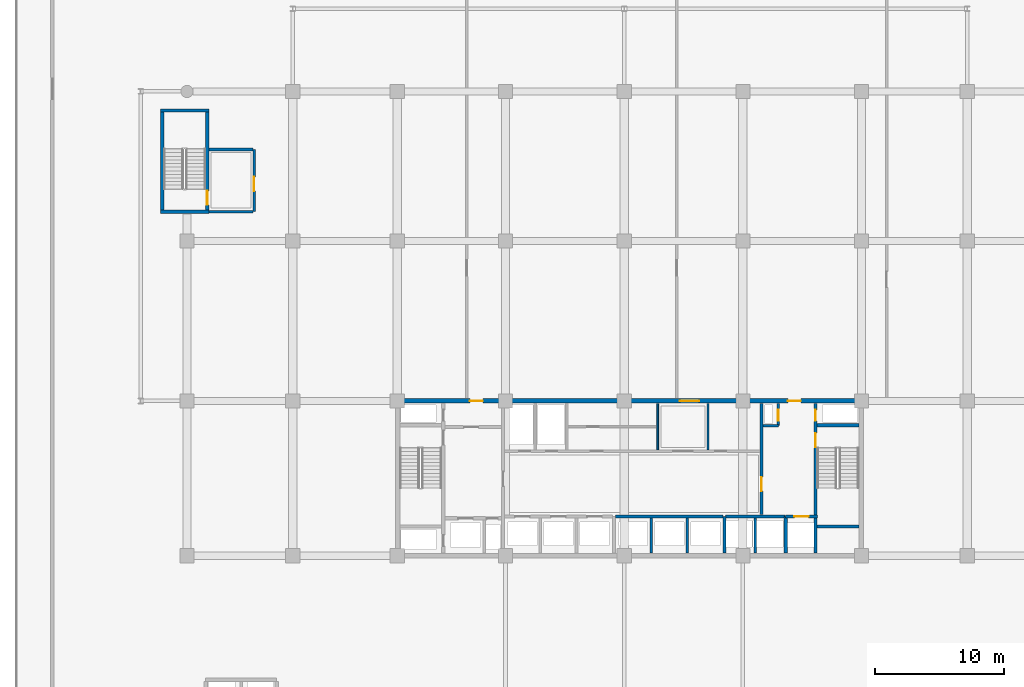
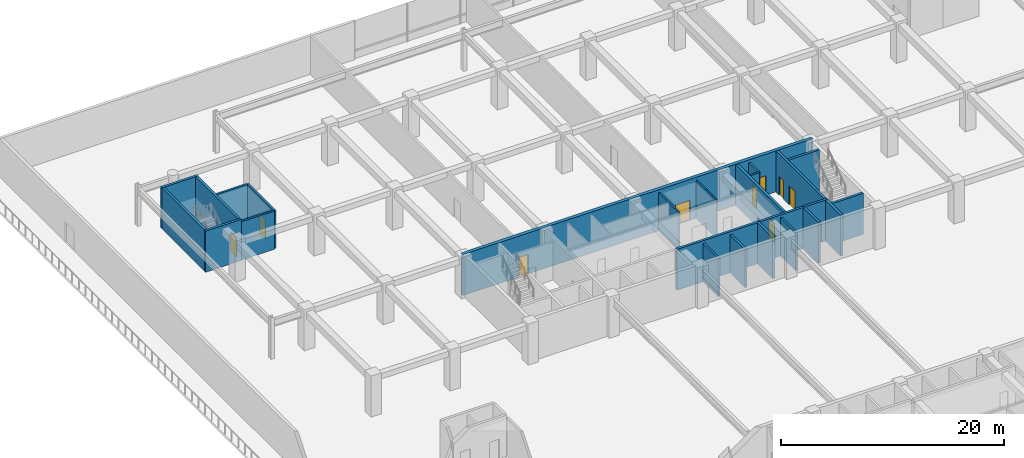
# One storey, part 25 of 43: 24 walls, 10 doors, 10 openings.
"""IFC4 building model written with IfcOpenShell, lengths in metres."""

from ifc_helpers import new_model, si_unit, direction, frame, frame_2d, origin, place, context, subcontext, project, spatial, rectangle, extrude, material, layer, layer_set, type_object, element, fill, save


model = new_model("IFC4")

# Units and contexts
model_context = context("Model", 3, precision=1e-05, world=origin(), true_north=direction((0.0, 1.0)))
body_context = subcontext(model_context, "Body", "Model", "MODEL_VIEW")
ifc_project = project(units=[si_unit("LENGTHUNIT", "METRE"), si_unit("AREAUNIT", "SQUARE_METRE"), si_unit("VOLUMEUNIT", "CUBIC_METRE"), si_unit("PLANEANGLEUNIT", "RADIAN"), si_unit("MASSUNIT", "GRAM", prefix="KILO")], contexts=[model_context])

# Site, building, storey
site_placement = place(None, origin())
site = spatial("IfcSite", under=ifc_project, at=site_placement, CompositionType="ELEMENT")
building_placement = place(site_placement, origin())
building = spatial("IfcBuilding", under=site, at=building_placement, Name="Korimba Cascade Residences", CompositionType="ELEMENT")
storey_placement = place(building_placement, frame((0.0, 0.0, 10.0)))
storey = spatial("IfcBuildingStorey", under=building, at=storey_placement, Name="L02", CompositionType="ELEMENT", Elevation=10.0)

# Wall, openings, doors
ifc_material_1 = material(Name="Concrete C65/80", Category="concrete")
ifc_layer_1 = layer(ifc_material_1, 0.35009765625)
ifc_layer_set_1 = layer_set([ifc_layer_1], Name="Concrete C65/80")
wall_type_1 = type_object("IfcWallType", Name="WAL-CORE-350", PredefinedType="SHEAR", material=ifc_layer_set_1)
wall_1_placement = place(storey_placement, frame((75.949951171875, 67.199951171875, 0.0), z_axis=(0.0, 0.0, 1.0), x_axis=(1.0, 0.0, 0.0)))
wall_1 = element("IfcWall", 1, at=wall_1_placement, inside=storey, type_object=wall_type_1, Name="L02 Core Shear Wall CW-L02-T1-N", PredefinedType="SHEAR", context=body_context, shape_type="SweptSolid", body=[
    extrude(rectangle(XDim=36.300048828125, YDim=0.35009765625, at=frame_2d((18.14990234375, 0.0))), origin(), (0.0, 0.0, 1.0), 4.5),
])
opening_1_placement = place(wall_1_placement, frame((5.7880859375, 0.0, 0.0)))
opening_1 = element("IfcOpeningElement", 2, at=opening_1_placement, cuts=wall_1, Name="Opening D-FD5", PredefinedType="OPENING", context=body_context, shape_type="SweptSolid", body=[
    extrude(rectangle(XDim=1.0, YDim=2.14990234375, at=frame_2d((0.5, 1.074951171875))), frame((0.0, 0.18505859375, 0.0), z_axis=(0.0, -1.0, 0.0), x_axis=(1.0, 0.0, 0.0)), (0.0, 0.0, 1.0), 0.3701171875),
])
opening_2_placement = place(wall_1_placement, frame((22.05810546875, 0.0, 0.0)))
opening_2 = element("IfcOpeningElement", 3, at=opening_2_placement, cuts=wall_1, Name="Opening D-FD8", PredefinedType="OPENING", context=body_context, shape_type="SweptSolid", body=[
    extrude(rectangle(XDim=1.5, YDim=2.199951171875, at=frame_2d((0.75, 1.10009765625))), frame((0.0, 0.18505859375, 0.0), z_axis=(0.0, -1.0, 0.0), x_axis=(1.0, 0.0, 0.0)), (0.0, 0.0, 1.0), 0.3701171875),
])
opening_3_placement = place(wall_1_placement, frame((30.449951171875, 0.0, 0.0)))
opening_3 = element("IfcOpeningElement", 4, at=opening_3_placement, cuts=wall_1, Name="Opening D-FD5", PredefinedType="OPENING", context=body_context, shape_type="SweptSolid", body=[
    extrude(rectangle(XDim=1.0, YDim=2.14990234375, at=frame_2d((0.5, 1.074951171875))), frame((0.0, 0.18505859375, 0.0), z_axis=(0.0, -1.0, 0.0), x_axis=(1.0, 0.0, 0.0)), (0.0, 0.0, 1.0), 0.3701171875),
])
ifc_material_2 = material(Name="Fire-Rated Acoustic Timber Vestibule Door", Category="wood")
door_type_1 = type_object("IfcDoorType", Name="DR-FD90-1000", OperationType="NOTDEFINED", PredefinedType="DOOR", material=ifc_material_2)
door_1_placement = place(opening_1_placement, origin())
door_1 = element("IfcDoor", 5, at=door_1_placement, inside=storey, type_object=door_type_1, Name="L02 T1 West Core Vestibule Fire Door", OperationType="SINGLE_SWING_RIGHT", OverallHeight=2.14990234375, OverallWidth=1.0, PredefinedType="DOOR", context=body_context, shape_type="SweptSolid", body=[
    extrude(rectangle(XDim=1.0, YDim=2.14990234375, at=frame_2d((0.5, 1.074951171875))), frame((0.0, 0.02490234375, 0.0), z_axis=(0.0, -1.0, 0.0), x_axis=(1.0, 0.0, 0.0)), (0.0, 0.0, 1.0), 0.050048828125),
])
fill(opening_1, door_1)
door_2_placement = place(opening_3_placement, origin())
door_2 = element("IfcDoor", 6, at=door_2_placement, inside=storey, type_object=door_type_1, Name="L02 T1 East Firefighting Vestibule Fire Door", OperationType="SINGLE_SWING_LEFT", OverallHeight=2.14990234375, OverallWidth=1.0, PredefinedType="DOOR", context=body_context, shape_type="SweptSolid", body=[
    extrude(rectangle(XDim=1.0, YDim=2.14990234375, at=frame_2d((0.5, 1.074951171875))), frame((0.0, 0.02490234375, 0.0), z_axis=(0.0, -1.0, 0.0), x_axis=(1.0, 0.0, 0.0)), (0.0, 0.0, 1.0), 0.050048828125),
])
fill(opening_3, door_2)
ifc_material_3 = material(Name="Fire-Rated Glazed Lift Lobby Double Door", Category="glass")
door_type_2 = type_object("IfcDoorType", Name="DR-FD90-1500", OperationType="NOTDEFINED", PredefinedType="DOOR", material=ifc_material_3)
door_3_placement = place(opening_2_placement, origin())
door_3 = element("IfcDoor", 7, at=door_3_placement, inside=storey, type_object=door_type_2, Name="L02 T1 Lift Lobby Fire Door", OperationType="DOUBLE_DOOR_SINGLE_SWING", OverallHeight=2.199951171875, OverallWidth=1.5, PredefinedType="DOOR", context=body_context, shape_type="SweptSolid", body=[
    extrude(rectangle(XDim=1.5, YDim=2.199951171875, at=frame_2d((0.75, 1.10009765625))), frame((0.0, 0.02490234375, 0.0), z_axis=(0.0, -1.0, 0.0), x_axis=(1.0, 0.0, 0.0)), (0.0, 0.0, 1.0), 0.050048828125),
])
fill(opening_2, door_3)

# Walls
ifc_material_4 = material(Name="Insulated Acoustic Stud Partition", Category="gypsum")
ifc_layer_2 = layer(ifc_material_4, 0.14990234375)
ifc_layer_set_2 = layer_set([ifc_layer_2], Name="Insulated Acoustic Stud Partition")
wall_type_2 = type_object("IfcWallType", Name="WAL-PART-150", PredefinedType="PARTITIONING", material=ifc_layer_set_2)
for number, where, z_axis, x_axis, name in (
    (8, (96.300048828125, 63.39990234375, 0.0), (0.0, 0.0, 1.0), (0.0, 1.0, 0.0), "L02 Partition Wall CW-L02-T1-THW"),
    (9, (100.199951171875, 63.39990234375, 0.0), (0.0, 0.0, 1.0), (0.0, 1.0, 0.0), "L02 Partition Wall CW-L02-T1-THE"),
):
    element("IfcWall", number, at=place(storey_placement, frame(where, z_axis=z_axis, x_axis=x_axis)), inside=storey, type_object=wall_type_2, Name=name, PredefinedType="PARTITIONING", context=body_context, shape_type="SweptSolid", body=[
        extrude(rectangle(XDim=3.60009765625, YDim=0.14990234375, at=frame_2d((1.800048828125, 0.0))), origin(), (0.0, 0.0, 1.0), 4.199951171875),
    ])
ifc_material_5 = material(Name="Concrete C40/50", Category="concrete")
ifc_layer_3 = layer(ifc_material_5, 0.199951171875)
ifc_layer_set_3 = layer_set([ifc_layer_3], Name="Concrete C40/50")
wall_type_3 = type_object("IfcWallType", Name="WAL-PART-200", PredefinedType="PARTITIONING", material=ifc_layer_set_3)
for number, where, z_axis, x_axis, name in (
    (10, (95.800048828125, 55.39990234375, 0.0), (0.0, 0.0, 1.0), (0.0, 1.0, 0.0), "L02 Partition Wall CW-L02-T1-B2D1"),
    (11, (98.60009765625, 55.39990234375, 0.0), (0.0, 0.0, 1.0), (0.0, 1.0, 0.0), "L02 Partition Wall CW-L02-T1-B2D2"),
    (12, (103.85009765625, 55.39990234375, 0.0), (0.0, 0.0, 1.0), (0.0, 1.0, 0.0), "L02 Partition Wall CW-L02-T1-B3D1"),
):
    element("IfcWall", number, at=place(storey_placement, frame(where, z_axis=z_axis, x_axis=x_axis)), inside=storey, type_object=wall_type_3, Name=name, PredefinedType="PARTITIONING", context=body_context, shape_type="SweptSolid", body=[
        extrude(rectangle(XDim=2.72021484375, YDim=0.199951171875, at=frame_2d((1.360107421875, 0.0))), origin(), (0.0, 0.0, 1.0), 4.199951171875),
    ])
wall_2_placement = place(storey_placement, frame((104.449951171875, 65.280029296875, 0.0), z_axis=(0.0, 0.0, 1.0), x_axis=(1.0, 0.0, 0.0)))
element("IfcWall", 13, at=wall_2_placement, inside=storey, type_object=wall_type_3, Name="L02 Partition Wall CW-L02-T1-HYDW2S", PredefinedType="PARTITIONING", context=body_context, shape_type="SweptSolid", body=[
    extrude(rectangle(XDim=1.199951171875, YDim=0.199951171875, at=frame_2d((0.60009765625, 0.0))), origin(), (0.0, 0.0, 1.0), 4.199951171875),
])

# Wall, opening, door
wall_3_placement = place(storey_placement, frame((105.64990234375, 65.280029296875, 0.0), z_axis=(0.0, 0.0, 1.0), x_axis=(0.0, 1.0, 0.0)))
wall_3 = element("IfcWall", 14, at=wall_3_placement, inside=storey, type_object=wall_type_3, Name="L02 Partition Wall CW-L02-T1-HYDW2E", PredefinedType="PARTITIONING", context=body_context, shape_type="SweptSolid", body=[
    extrude(rectangle(XDim=1.719970703125, YDim=0.199951171875, at=frame_2d((0.85986328125, 0.0))), origin(), (0.0, 0.0, 1.0), 4.199951171875),
])
opening_4_placement = place(wall_3_placement, frame((0.39990234375, 0.0, 0.0)))
opening_4 = element("IfcOpeningElement", 15, at=opening_4_placement, cuts=wall_3, Name="Opening D-RS1", PredefinedType="OPENING", context=body_context, shape_type="SweptSolid", body=[
    extrude(rectangle(XDim=0.85009765625, YDim=2.050048828125, at=frame_2d((0.425048828125, 1.02490234375))), frame((0.0, 0.10986328125, 0.0), z_axis=(0.0, -1.0, 0.0), x_axis=(1.0, 0.0, 0.0)), (0.0, 0.0, 1.0), 0.219970703125),
])
ifc_material_6 = material(Name="Fire-Rated Steel Riser Access Door", Category="steel")
door_type_3 = type_object("IfcDoorType", Name="DR-FD60-850", OperationType="NOTDEFINED", PredefinedType="DOOR", material=ifc_material_6)
door_4_placement = place(opening_4_placement, origin())
door_4 = element("IfcDoor", 16, at=door_4_placement, inside=storey, type_object=door_type_3, Name="L02 East Hydrant Door", OperationType="SINGLE_SWING_LEFT", OverallHeight=2.050048828125, OverallWidth=0.85009765625, PredefinedType="DOOR", context=body_context, shape_type="SweptSolid", body=[
    extrude(rectangle(XDim=0.85009765625, YDim=2.050048828125, at=frame_2d((0.425048828125, 1.02490234375))), frame((0.0, 0.02490234375, 0.0), z_axis=(0.0, -1.0, 0.0), x_axis=(1.0, 0.0, 0.0)), (0.0, 0.0, 1.0), 0.050048828125),
])
fill(opening_4, door_4)

wall_4_placement = place(storey_placement, frame((65.0, 81.875, 0.0), z_axis=(0.0, 0.0, 1.0), x_axis=(0.0, 1.0, 0.0)))
wall_4 = element("IfcWall", 17, at=wall_4_placement, inside=storey, type_object=wall_type_3, Name="L02 Partition Wall CW-L02-PL5E", PredefinedType="PARTITIONING", context=body_context, shape_type="SweptSolid", body=[
    extrude(rectangle(XDim=4.824951171875, YDim=0.199951171875, at=frame_2d((2.41259765625, 0.0))), origin(), (0.0, 0.0, 1.0), 4.199951171875),
])
opening_5_placement = place(wall_4_placement, frame((1.60009765625, 0.0, 0.0)))
opening_5 = element("IfcOpeningElement", 18, at=opening_5_placement, cuts=wall_4, Name="Opening D-FD6", PredefinedType="OPENING", context=body_context, shape_type="SweptSolid", body=[
    extrude(rectangle(XDim=1.10009765625, YDim=2.14990234375, at=frame_2d((0.550048828125, 1.074951171875))), frame((0.0, 0.10986328125, 0.0), z_axis=(0.0, -1.0, 0.0), x_axis=(1.0, 0.0, 0.0)), (0.0, 0.0, 1.0), 0.219970703125),
])
ifc_material_7 = material(Name="Fire-Rated Timber Stair Lobby Door", Category="wood")
door_type_4 = type_object("IfcDoorType", Name="DR-FD90-1100", OperationType="NOTDEFINED", PredefinedType="DOOR", material=ifc_material_7)
door_5_placement = place(opening_5_placement, origin())
door_5 = element("IfcDoor", 19, at=door_5_placement, inside=storey, type_object=door_type_4, Name="L02 North-West Stair Vestibule Door", OperationType="SINGLE_SWING_LEFT", OverallHeight=2.14990234375, OverallWidth=1.10009765625, PredefinedType="DOOR", context=body_context, shape_type="SweptSolid", body=[
    extrude(rectangle(XDim=1.10009765625, YDim=2.14990234375, at=frame_2d((0.550048828125, 1.074951171875))), frame((0.0, 0.02490234375, 0.0), z_axis=(0.0, -1.0, 0.0), x_axis=(1.0, 0.0, 0.0)), (0.0, 0.0, 1.0), 0.050048828125),
])
fill(opening_5, door_5)

# Walls
for number, where, z_axis, x_axis, name in (
    (20, (61.5, 81.875, 0.0), (0.0, 0.0, 1.0), (1.0, 0.0, 0.0), "L02 Partition Wall CW-L02-PL5S"),
    (21, (61.5, 86.699951171875, 0.0), (0.0, 0.0, 1.0), (1.0, 0.0, 0.0), "L02 Partition Wall CW-L02-PL5N"),
):
    element("IfcWall", number, at=place(storey_placement, frame(where, z_axis=z_axis, x_axis=x_axis)), inside=storey, type_object=wall_type_3, Name=name, PredefinedType="PARTITIONING", context=body_context, shape_type="SweptSolid", body=[
        extrude(rectangle(XDim=3.39990234375, YDim=0.199951171875, at=frame_2d((1.699951171875, 0.0))), origin(), (0.0, 0.0, 1.0), 4.199951171875),
    ])
ifc_material_8 = material(Name="Concrete C50/60", Category="concrete")
ifc_layer_4 = layer(ifc_material_8, 0.25)
ifc_layer_set_4 = layer_set([ifc_layer_4], Name="Concrete C50/60")
wall_type_4 = type_object("IfcWallType", Name="WAL-SHAFT-250", PredefinedType="SHEAR", material=ifc_layer_set_4)
wall_5_placement = place(storey_placement, frame((93.02001953125, 58.25, 0.0), z_axis=(0.0, 0.0, 1.0), x_axis=(1.0, 0.0, 0.0)))
element("IfcWall", 22, at=wall_5_placement, inside=storey, type_object=wall_type_4, Name="L02 Core Shear Wall CW-L02-T1-B2N", PredefinedType="SHEAR", context=body_context, shape_type="SweptSolid", body=[
    extrude(rectangle(XDim=8.35986328125, YDim=0.25, at=frame_2d((4.179931640625, 0.0))), origin(), (0.0, 0.0, 1.0), 4.5),
])
wall_6_placement = place(storey_placement, frame((101.47998046875, 55.39990234375, 0.0), z_axis=(0.0, 0.0, 1.0), x_axis=(0.0, 1.0, 0.0)))
element("IfcWall", 23, at=wall_6_placement, inside=storey, type_object=wall_type_4, Name="L02 Core Shear Wall CW-L02-T1-B23DIV", PredefinedType="SHEAR", context=body_context, shape_type="SweptSolid", body=[
    extrude(rectangle(XDim=2.85009765625, YDim=0.25, at=frame_2d((1.425048828125, 0.0))), origin(), (0.0, 0.0, 1.0), 4.5),
])
wall_7_placement = place(storey_placement, frame((101.550048828125, 58.25, 0.0), z_axis=(0.0, 0.0, 1.0), x_axis=(1.0, 0.0, 0.0)))
element("IfcWall", 24, at=wall_7_placement, inside=storey, type_object=wall_type_4, Name="L02 Core Shear Wall CW-L02-T1-B3N", PredefinedType="SHEAR", context=body_context, shape_type="SweptSolid", body=[
    extrude(rectangle(XDim=4.599853515625, YDim=0.25, at=frame_2d((2.2998046875, 0.0))), origin(), (0.0, 0.0, 1.0), 4.5),
])
wall_8_placement = place(storey_placement, frame((106.219970703125, 55.39990234375, 0.0), z_axis=(0.0, 0.0, 1.0), x_axis=(0.0, 1.0, 0.0)))
element("IfcWall", 25, at=wall_8_placement, inside=storey, type_object=wall_type_4, Name="L02 Core Shear Wall CW-L02-T1-FF2W", PredefinedType="SHEAR", context=body_context, shape_type="SweptSolid", body=[
    extrude(rectangle(XDim=2.85009765625, YDim=0.25, at=frame_2d((1.425048828125, 0.0))), origin(), (0.0, 0.0, 1.0), 4.5),
])

# Wall, opening, door
wall_9_placement = place(storey_placement, frame((106.219970703125, 58.25, 0.0), z_axis=(0.0, 0.0, 1.0), x_axis=(1.0, 0.0, 0.0)))
wall_9 = element("IfcWall", 26, at=wall_9_placement, inside=storey, type_object=wall_type_4, Name="L02 Core Shear Wall CW-L02-T1-FF2N", PredefinedType="SHEAR", context=body_context, shape_type="SweptSolid", body=[
    extrude(rectangle(XDim=2.4599609375, YDim=0.25, at=frame_2d((1.22998046875, 0.0))), origin(), (0.0, 0.0, 1.0), 4.5),
])
opening_6_placement = place(wall_9_placement, frame((0.669921875, 0.0, 0.0)))
opening_6 = element("IfcOpeningElement", 27, at=opening_6_placement, cuts=wall_9, Name="Opening LD-01", PredefinedType="OPENING", context=body_context, shape_type="SweptSolid", body=[
    extrude(rectangle(XDim=1.1201171875, YDim=2.1201171875, at=frame_2d((0.56005859375, 1.06005859375))), frame((0.0, 0.135009765625, 0.0), z_axis=(0.0, -1.0, 0.0), x_axis=(1.0, 0.0, 0.0)), (0.0, 0.0, 1.0), 0.27001953125),
])
ifc_material_9 = material(Name="Stainless Steel Lift Landing Sliding Door", Category="steel")
door_type_5 = type_object("IfcDoorType", Name="DR-LIFT-1100", OperationType="NOTDEFINED", PredefinedType="DOOR", material=ifc_material_9)
door_6_placement = place(opening_6_placement, origin())
door_6 = element("IfcDoor", 28, at=door_6_placement, inside=storey, type_object=door_type_5, Name="L02 Firefighting Lift Landing Door FFL-W2", OperationType="SLIDING_TO_RIGHT", OverallHeight=2.1201171875, OverallWidth=1.1201171875, PredefinedType="DOOR", context=body_context, shape_type="SweptSolid", body=[
    extrude(rectangle(XDim=1.1201171875, YDim=2.1201171875, at=frame_2d((0.56005859375, 1.06005859375))), frame((0.0, 0.02490234375, 0.0), z_axis=(0.0, -1.0, 0.0), x_axis=(1.0, 0.0, 0.0)), (0.0, 0.0, 1.0), 0.050048828125),
])
fill(opening_6, door_6)

wall_10_placement = place(storey_placement, frame((104.35009765625, 58.39990234375, 0.0), z_axis=(0.0, 0.0, 1.0), x_axis=(0.0, 1.0, 0.0)))
wall_10 = element("IfcWall", 29, at=wall_10_placement, inside=storey, type_object=wall_type_4, Name="L02 Core Shear Wall CW-L02-T1-LLEV", PredefinedType="SHEAR", context=body_context, shape_type="SweptSolid", body=[
    extrude(rectangle(XDim=8.60009765625, YDim=0.25, at=frame_2d((4.300048828125, 0.0))), origin(), (0.0, 0.0, 1.0), 4.5),
])
opening_7_placement = place(wall_10_placement, frame((1.800048828125, 0.0, 0.0)))
opening_7 = element("IfcOpeningElement", 30, at=opening_7_placement, cuts=wall_10, Name="Opening D-FD1", PredefinedType="OPENING", context=body_context, shape_type="SweptSolid", body=[
    extrude(rectangle(XDim=1.10009765625, YDim=2.10009765625, at=frame_2d((0.550048828125, 1.050048828125))), frame((0.0, 0.135009765625, 0.0), z_axis=(0.0, -1.0, 0.0), x_axis=(1.0, 0.0, 0.0)), (0.0, 0.0, 1.0), 0.27001953125),
])
ifc_material_10 = material(Name="Fire-Rated Steel Core Door", Category="steel")
door_type_6 = type_object("IfcDoorType", Name="DR-FD120-1100", OperationType="NOTDEFINED", PredefinedType="DOOR", material=ifc_material_10)
door_7_placement = place(opening_7_placement, origin())
door_7 = element("IfcDoor", 31, at=door_7_placement, inside=storey, type_object=door_type_6, Name="L02 Lift Lobby to East Firefighting Lobby Door", OperationType="SINGLE_SWING_RIGHT", OverallHeight=2.10009765625, OverallWidth=1.10009765625, PredefinedType="DOOR", context=body_context, shape_type="SweptSolid", body=[
    extrude(rectangle(XDim=1.10009765625, YDim=2.10009765625, at=frame_2d((0.550048828125, 1.050048828125))), frame((0.0, 0.02490234375, 0.0), z_axis=(0.0, -1.0, 0.0), x_axis=(1.0, 0.0, 0.0)), (0.0, 0.0, 1.0), 0.050048828125),
])
fill(opening_7, door_7)

# Wall, openings, doors
wall_11_placement = place(storey_placement, frame((108.534912109375, 55.39990234375, 0.0), z_axis=(0.0, 0.0, 1.0), x_axis=(0.0, 1.0, 0.0)))
wall_11 = element("IfcWall", 32, at=wall_11_placement, inside=storey, type_object=wall_type_4, Name="L02 Core Shear Wall CW-L02-T1-STW2W", PredefinedType="SHEAR", context=body_context, shape_type="SweptSolid", body=[
    extrude(rectangle(XDim=11.60009765625, YDim=0.25, at=frame_2d((5.800048828125, 0.0))), origin(), (0.0, 0.0, 1.0), 4.5),
])
opening_8_placement = place(wall_11_placement, frame((8.199951171875, 0.0, 0.0)))
opening_8 = element("IfcOpeningElement", 33, at=opening_8_placement, cuts=wall_11, Name="Opening D-FD1", PredefinedType="OPENING", context=body_context, shape_type="SweptSolid", body=[
    extrude(rectangle(XDim=1.10009765625, YDim=2.10009765625, at=frame_2d((0.550048828125, 1.050048828125))), frame((0.0, 0.135009765625, 0.0), z_axis=(0.0, -1.0, 0.0), x_axis=(1.0, 0.0, 0.0)), (0.0, 0.0, 1.0), 0.27001953125),
])
opening_9_placement = place(wall_11_placement, frame((10.25, 0.0, 0.0)))
opening_9 = element("IfcOpeningElement", 34, at=opening_9_placement, cuts=wall_11, Name="Opening D-RS1", PredefinedType="OPENING", context=body_context, shape_type="SweptSolid", body=[
    extrude(rectangle(XDim=0.85009765625, YDim=2.050048828125, at=frame_2d((0.425048828125, 1.02490234375))), frame((0.0, 0.135009765625, 0.0), z_axis=(0.0, -1.0, 0.0), x_axis=(1.0, 0.0, 0.0)), (0.0, 0.0, 1.0), 0.27001953125),
])
door_8_placement = place(opening_8_placement, origin())
door_8 = element("IfcDoor", 35, at=door_8_placement, inside=storey, type_object=door_type_6, Name="L02 Fire Stair ST-W2 Door", OperationType="SINGLE_SWING_LEFT", OverallHeight=2.10009765625, OverallWidth=1.10009765625, PredefinedType="DOOR", context=body_context, shape_type="SweptSolid", body=[
    extrude(rectangle(XDim=1.10009765625, YDim=2.10009765625, at=frame_2d((0.550048828125, 1.050048828125))), frame((0.0, 0.02490234375, 0.0), z_axis=(0.0, -1.0, 0.0), x_axis=(1.0, 0.0, 0.0)), (0.0, 0.0, 1.0), 0.050048828125),
])
fill(opening_8, door_8)
door_9_placement = place(opening_9_placement, origin())
door_9 = element("IfcDoor", 36, at=door_9_placement, inside=storey, type_object=door_type_3, Name="L02 East Riser Door", OperationType="SINGLE_SWING_RIGHT", OverallHeight=2.050048828125, OverallWidth=0.85009765625, PredefinedType="DOOR", context=body_context, shape_type="SweptSolid", body=[
    extrude(rectangle(XDim=0.85009765625, YDim=2.050048828125, at=frame_2d((0.425048828125, 1.02490234375))), frame((0.0, 0.02490234375, 0.0), z_axis=(0.0, -1.0, 0.0), x_axis=(1.0, 0.0, 0.0)), (0.0, 0.0, 1.0), 0.050048828125),
])
fill(opening_9, door_9)

# Walls
for number, where, z_axis, x_axis, name in (
    (37, (108.659912109375, 57.47509765625, 0.0), (0.0, 0.0, 1.0), (1.0, 0.0, 0.0), "L02 Core Shear Wall CW-L02-T1-STW2S"),
    (38, (108.659912109375, 65.324951171875, 0.0), (0.0, 0.0, 1.0), (1.0, 0.0, 0.0), "L02 Core Shear Wall CW-L02-T1-STW2N"),
):
    element("IfcWall", number, at=place(storey_placement, frame(where, z_axis=z_axis, x_axis=x_axis)), inside=storey, type_object=wall_type_4, Name=name, PredefinedType="SHEAR", context=body_context, shape_type="SweptSolid", body=[
        extrude(rectangle(XDim=3.239990234375, YDim=0.25, at=frame_2d((1.6201171875, 0.0))), origin(), (0.0, 0.0, 1.0), 4.5),
    ])
wall_12_placement = place(storey_placement, frame((57.875, 82.0, 0.0), z_axis=(0.0, 0.0, 1.0), x_axis=(0.0, 1.0, 0.0)))
element("IfcWall", 39, at=wall_12_placement, inside=storey, type_object=wall_type_4, Name="L02 Core Shear Wall CW-L02-STP5W", PredefinedType="SHEAR", context=body_context, shape_type="SweptSolid", body=[
    extrude(rectangle(XDim=7.60009765625, YDim=0.25, at=frame_2d((3.800048828125, 0.0))), origin(), (0.0, 0.0, 1.0), 4.5),
])
for number, where, z_axis, x_axis, name in (
    (40, (57.75, 81.875, 0.0), (0.0, 0.0, 1.0), (1.0, 0.0, 0.0), "L02 Core Shear Wall CW-L02-STP5S"),
    (41, (57.75, 89.72509765625, 0.0), (0.0, 0.0, 1.0), (1.0, 0.0, 0.0), "L02 Core Shear Wall CW-L02-STP5N"),
):
    element("IfcWall", number, at=place(storey_placement, frame(where, z_axis=z_axis, x_axis=x_axis)), inside=storey, type_object=wall_type_4, Name=name, PredefinedType="SHEAR", context=body_context, shape_type="SweptSolid", body=[
        extrude(rectangle(XDim=3.739990234375, YDim=0.25, at=frame_2d((1.8701171875, 0.0))), origin(), (0.0, 0.0, 1.0), 4.5),
    ])

# Wall, opening, door
wall_13_placement = place(storey_placement, frame((61.364990234375, 82.0, 0.0), z_axis=(0.0, 0.0, 1.0), x_axis=(0.0, 1.0, 0.0)))
wall_13 = element("IfcWall", 42, at=wall_13_placement, inside=storey, type_object=wall_type_4, Name="L02 Core Shear Wall CW-L02-STP5E", PredefinedType="SHEAR", context=body_context, shape_type="SweptSolid", body=[
    extrude(rectangle(XDim=7.60009765625, YDim=0.25, at=frame_2d((3.800048828125, 0.0))), origin(), (0.0, 0.0, 1.0), 4.5),
])
opening_10_placement = place(wall_13_placement, frame((0.39990234375, 0.0, 0.0)))
opening_10 = element("IfcOpeningElement", 43, at=opening_10_placement, cuts=wall_13, Name="Opening D-FD1", PredefinedType="OPENING", context=body_context, shape_type="SweptSolid", body=[
    extrude(rectangle(XDim=1.10009765625, YDim=2.10009765625, at=frame_2d((0.550048828125, 1.050048828125))), frame((0.0, 0.135009765625, 0.0), z_axis=(0.0, -1.0, 0.0), x_axis=(1.0, 0.0, 0.0)), (0.0, 0.0, 1.0), 0.27001953125),
])
door_10_placement = place(opening_10_placement, origin())
door_10 = element("IfcDoor", 44, at=door_10_placement, inside=storey, type_object=door_type_6, Name="L02 Podium Stair ST-P5 Door", OperationType="SINGLE_SWING_RIGHT", OverallHeight=2.10009765625, OverallWidth=1.10009765625, PredefinedType="DOOR", context=body_context, shape_type="SweptSolid", body=[
    extrude(rectangle(XDim=1.10009765625, YDim=2.10009765625, at=frame_2d((0.550048828125, 1.050048828125))), frame((0.0, 0.02490234375, 0.0), z_axis=(0.0, -1.0, 0.0), x_axis=(1.0, 0.0, 0.0)), (0.0, 0.0, 1.0), 0.050048828125),
])
fill(opening_10, door_10)

save(model, "model.ifc")
